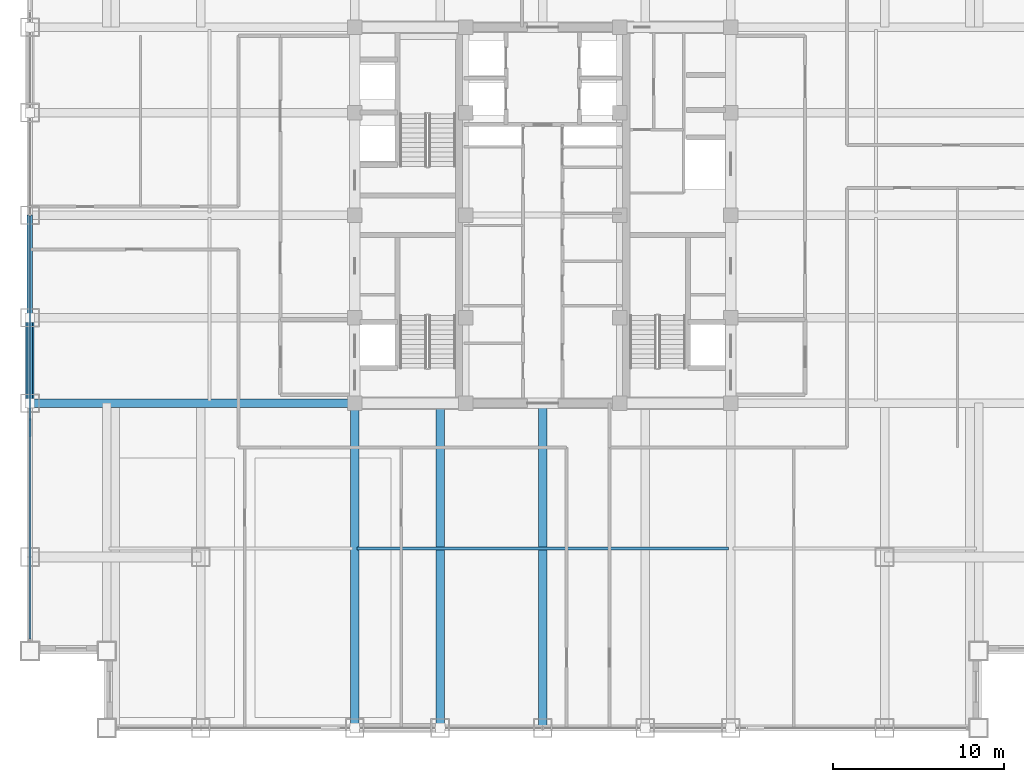
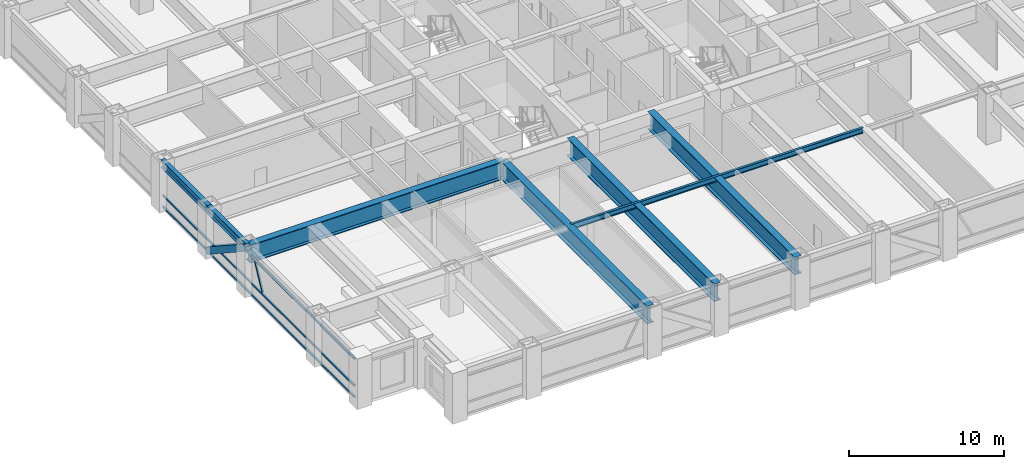
# One storey, part 5 of 26: 7 beams, 5 members, 1 element without a shape of its own.
"""IFC4 building model written with IfcOpenShell, lengths in metres."""

from ifc_helpers import new_model, si_unit, direction, frame, origin, origin_2d, place, context, subcontext, project, spatial, hollow_rectangle, i_section, extrude, source, transform, mapped, material, material_profile, profile_set, type_object, element, aggregate, save


model = new_model("IFC4")

# Units and contexts
model_context = context("Model", 3, precision=1e-05, world=origin(), true_north=direction((0.0, 1.0)))
body_context = subcontext(model_context, "Body", "Model", "MODEL_VIEW")
ifc_project = project(units=[si_unit("LENGTHUNIT", "METRE"), si_unit("AREAUNIT", "SQUARE_METRE"), si_unit("VOLUMEUNIT", "CUBIC_METRE"), si_unit("PLANEANGLEUNIT", "RADIAN"), si_unit("MASSUNIT", "GRAM", prefix="KILO")], contexts=[model_context])

# Site, building, storey
site_placement = place(None, origin())
site = spatial("IfcSite", under=ifc_project, at=site_placement, CompositionType="ELEMENT")
building_placement = place(site_placement, origin())
building = spatial("IfcBuilding", under=site, at=building_placement, Name="Khorayat Bourse Tower", CompositionType="ELEMENT")
storey_placement = place(building_placement, frame((0.0, 0.0, 207.10009765625)))
storey = spatial("IfcBuildingStorey", under=building, at=storey_placement, Name="L48", CompositionType="ELEMENT", Elevation=207.10009765625)

# Beams
ifc_material_1 = material(Name="Steel ASTM A992 Grade 50", Category="steel")
ifc_material_profile_1 = material_profile(ifc_material_1, i_section(OverallWidth=0.180908203125, OverallDepth=0.4169921875, WebThickness=0.010986328125, FlangeThickness=0.018310546875, FilletRadius=0.011962890625, at=origin_2d()), Name="W410X85")
ifc_profile_set_1 = profile_set([ifc_material_profile_1], Name="Steel ASTM A992 Grade 50")
beam_type_1 = type_object("IfcBeamType", Name="BM-JOIST-410", PredefinedType="JOIST", material=ifc_profile_set_1)
shared_shape_1 = source(origin(), body_context, "Body", "SweptSolid", [
    extrude(i_section(OverallWidth=0.180908203125, OverallDepth=0.4169921875, WebThickness=0.010986328125, FlangeThickness=0.018310546875, FilletRadius=0.011962890625, at=origin_2d()), origin(), (0.0, 0.0, 1.0), 21.740234375),
])
beam_1_placement = place(storey_placement, frame((-10.8701171875, -19.5, 3.5712890625), z_axis=(1.0, 0.0, 0.0), x_axis=(0.0, 1.0, 0.0)))
element("IfcBeam", 1, at=beam_1_placement, inside=storey, type_object=beam_type_1, Name="L48 BM-JOIST-410 BM-L48-JSTX-105", PredefinedType="JOIST", context=body_context, shape_type="MappedRepresentation", body=[
    mapped(shared_shape_1, transform((0.0, 0.0, 0.0), scale=1.0)),
])
ifc_material_profile_2 = material_profile(ifc_material_1, i_section(OverallWidth=0.324951171875, OverallDepth=0.615966796875, WebThickness=0.013916015625, FlangeThickness=0.021484375, FilletRadius=0.01611328125, at=origin_2d()), Name="W610X174")
ifc_profile_set_2 = profile_set([ifc_material_profile_2], Name="Steel ASTM A992 Grade 50")
beam_type_2 = type_object("IfcBeamType", Name="BM-SPAN-610", PredefinedType="SPANDREL", material=ifc_profile_set_2)
shared_shape_2 = source(origin(), body_context, "Body", "SweptSolid", [
    extrude(i_section(OverallWidth=0.324951171875, OverallDepth=0.615966796875, WebThickness=0.013916015625, FlangeThickness=0.021484375, FilletRadius=0.01611328125, at=origin_2d()), origin(), (0.0, 0.0, 1.0), 5.0),
])
beam_2_placement = place(storey_placement, frame((-30.0, -11.0, 3.471923828125), z_axis=(0.0, 1.0, 0.0), x_axis=(-1.0, 0.0, 0.0)))
element("IfcBeam", 2, at=beam_2_placement, inside=storey, type_object=beam_type_2, Name="L48 BM-SPAN-610 BM-L48-SPN-059", PredefinedType="SPANDREL", context=body_context, shape_type="MappedRepresentation", body=[
    mapped(shared_shape_2, transform((0.0, 0.0, 0.0), scale=1.0)),
])
shared_shape_3 = source(origin(), body_context, "Body", "SweptSolid", [
    extrude(i_section(OverallWidth=0.324951171875, OverallDepth=0.615966796875, WebThickness=0.013916015625, FlangeThickness=0.021484375, FilletRadius=0.01611328125, at=origin_2d()), origin(), (0.0, 0.0, 1.0), 6.0),
])
beam_3_placement = place(storey_placement, frame((-30.0, -6.0, 3.471923828125), z_axis=(0.0, 1.0, 0.0), x_axis=(-1.0, 0.0, 0.0)))
element("IfcBeam", 3, at=beam_3_placement, inside=storey, type_object=beam_type_2, Name="L48 BM-SPAN-610 BM-L48-SPN-058", PredefinedType="SPANDREL", context=body_context, shape_type="MappedRepresentation", body=[
    mapped(shared_shape_3, transform((0.0, 0.0, 0.0), scale=1.0)),
])

# Member
ifc_material_2 = material(Name="Steel EN 10025-4 S460M", Category="steel")
ifc_material_profile_3 = material_profile(ifc_material_2, hollow_rectangle(XDim=0.5, YDim=0.5, WallThickness=0.028076171875, at=origin_2d()), Name="HSS 500x500x28")
ifc_profile_set_3 = profile_set([ifc_material_profile_3], Name="Steel EN 10025-4 S460M")
member_type_1 = type_object("IfcMemberType", Name="MBR-TUBE-500", PredefinedType="BRACE", material=ifc_profile_set_3)
shared_shape_4 = source(origin(), body_context, "Body", "SweptSolid", [
    extrude(hollow_rectangle(XDim=0.5, YDim=0.5, WallThickness=0.028076171875, at=origin_2d()), origin(), (0.0, 0.0, 1.0), 5.979736328125),
])
member_1_placement = place(storey_placement, frame((-30.0, -11.0, 3.52978515625), z_axis=(0.0, 0.836160261256, -0.548485202623), x_axis=(-1.0, 0.0, 0.0)))
element("IfcMember", 4, at=member_1_placement, inside=storey, type_object=member_type_1, Name="L48 Perimeter Tube Brace 05", PredefinedType="BRACE", context=body_context, shape_type="MappedRepresentation", body=[
    mapped(shared_shape_4, transform((0.0, 0.0, 0.0), scale=1.0)),
])

# Beams
ifc_material_profile_4 = material_profile(ifc_material_2, i_section(OverallWidth=0.5, OverallDepth=1.39990234375, WebThickness=0.02490234375, FlangeThickness=0.050048828125, at=origin_2d()), Name="PG 1400x500x25x50")
ifc_profile_set_4 = profile_set([ifc_material_profile_4], Name="Steel EN 10025-4 S460M")
beam_type_3 = type_object("IfcBeamType", Name="BM-TR-1400", PredefinedType="BEAM", material=ifc_profile_set_4)
shared_shape_5 = source(origin(), body_context, "Body", "SweptSolid", [
    extrude(i_section(OverallWidth=0.5, OverallDepth=1.39990234375, WebThickness=0.02490234375, FlangeThickness=0.050048828125, at=origin_2d()), origin(), (0.0, 0.0, 1.0), 19.0),
])
for number, where, z_axis, x_axis, name in (
    (5, (-11.0, -30.0, 3.079833984375), (0.0, 1.0, 0.0), (-1.0, 0.0, 0.0), "L48 BM-TR-1400 BM-L48-RADY-065"),
    (6, (-6.0, -30.0, 3.079833984375), (0.0, 1.0, 0.0), (-1.0, 0.0, 0.0), "L48 BM-TR-1400 BM-L48-RADY-067"),
    (7, (0.0, -30.0, 3.079833984375), (0.0, 1.0, 0.0), (-1.0, 0.0, 0.0), "L48 BM-TR-1400 BM-L48-RADY-069"),
    (8, (-30.0, -11.0, 3.079833984375), (1.0, 0.0, 0.0), (0.0, 1.0, 0.0), "L48 BM-TR-1400 BM-L48-RADX-075"),
):
    element("IfcBeam", number, at=place(storey_placement, frame(where, z_axis=z_axis, x_axis=x_axis)), inside=storey, type_object=beam_type_3, Name=name, PredefinedType="BEAM", context=body_context, shape_type="MappedRepresentation", body=[
        mapped(shared_shape_5, transform((0.0, 0.0, 0.0), scale=1.0)),
    ])

# Curtain wall, members
ifc_material_3 = material(Name="Aluminium EN AW-6063 T6", Category="aluminium")
curtain_wall_type = type_object("IfcCurtainWallType", Name="CW-SYS-03", PredefinedType="NOTDEFINED", material=ifc_material_3)
curtain_wall_placement = place(storey_placement, origin())
curtain_wall = element("IfcCurtainWall", 9, at=curtain_wall_placement, inside=storey, type_object=curtain_wall_type, Name="L48 Curtain Wall CW-L48-W1", PredefinedType="NOTDEFINED")
ifc_material_profile_5 = material_profile(ifc_material_3, hollow_rectangle(XDim=0.1201171875, YDim=0.1201171875, WallThickness=0.0048828125, at=origin_2d()), Name="ALU 120x120x5")
ifc_profile_set_5 = profile_set([ifc_material_profile_5], Name="Aluminium EN AW-6063 T6")
member_type_2 = type_object("IfcMemberType", Name="CWM-DIAG-120", PredefinedType="MULLION", material=ifc_profile_set_5)
shared_shape_6 = source(origin(), body_context, "Body", "SweptSolid", [
    extrude(hollow_rectangle(XDim=0.1201171875, YDim=0.1201171875, WallThickness=0.0048828125, at=origin_2d()), origin(), (0.0, 0.0, 1.0), 2.079345703125),
])
member_2_placement = place(storey_placement, frame((-30.0, -12.904296875, 1.08984375), z_axis=(0.0, 0.465760949701, 0.884910581773), x_axis=(-1.0, 0.0, 0.0)))
member_2 = element("IfcMember", 10, at=member_2_placement, type_object=member_type_2, Name="CW-L48-W1 Faceted Diagonal Mullion 1", PredefinedType="MULLION", context=body_context, shape_type="MappedRepresentation", body=[
    mapped(shared_shape_6, transform((0.0, 0.0, 0.0), scale=1.0)),
])
ifc_material_profile_6 = material_profile(ifc_material_3, hollow_rectangle(XDim=0.1201171875, YDim=0.1201171875, WallThickness=0.0048828125, at=origin_2d()), Name="ALU 120x120x5")
ifc_profile_set_6 = profile_set([ifc_material_profile_6], Name="Aluminium EN AW-6063 T6")
member_type_3 = type_object("IfcMemberType", Name="CWT-HORZ-120", PredefinedType="USERDEFINED", material=ifc_profile_set_6)
shared_shape_7 = source(origin(), body_context, "Body", "SweptSolid", [
    extrude(hollow_rectangle(XDim=0.1201171875, YDim=0.1201171875, WallThickness=0.0048828125, at=origin_2d()), origin(), (0.0, 0.0, 1.0), 24.719970703125),
])
member_3_placement = place(storey_placement, frame((-30.0, -24.780029296875, 0.059814453125), z_axis=(0.0, 1.0, 0.0), x_axis=(-1.0, 0.0, 0.0)))
member_3 = element("IfcMember", 11, at=member_3_placement, type_object=member_type_3, Name="CW-L48-W1 Horizontal Transom 1-1", ObjectType="TRANSOM", PredefinedType="USERDEFINED", context=body_context, shape_type="MappedRepresentation", body=[
    mapped(shared_shape_7, transform((0.0, 0.0, 0.0), scale=1.0)),
])
member_4_placement = place(storey_placement, frame((-30.0, -24.780029296875, 0.949951171875), z_axis=(0.0, 1.0, 0.0), x_axis=(-1.0, 0.0, 0.0)))
member_4 = element("IfcMember", 12, at=member_4_placement, type_object=member_type_3, Name="CW-L48-W1 Horizontal Transom 1-2", ObjectType="TRANSOM", PredefinedType="USERDEFINED", context=body_context, shape_type="MappedRepresentation", body=[
    mapped(shared_shape_7, transform((0.0, 0.0, 0.0), scale=1.0)),
])
member_5_placement = place(storey_placement, frame((-30.0, -24.780029296875, 3.06982421875), z_axis=(0.0, 1.0, 0.0), x_axis=(-1.0, 0.0, 0.0)))
member_5 = element("IfcMember", 13, at=member_5_placement, type_object=member_type_3, Name="CW-L48-W1 Horizontal Transom 1-3", ObjectType="TRANSOM", PredefinedType="USERDEFINED", context=body_context, shape_type="MappedRepresentation", body=[
    mapped(shared_shape_7, transform((0.0, 0.0, 0.0), scale=1.0)),
])
aggregate(curtain_wall, [member_3, member_4, member_5, member_2])

save(model, "model.ifc")
